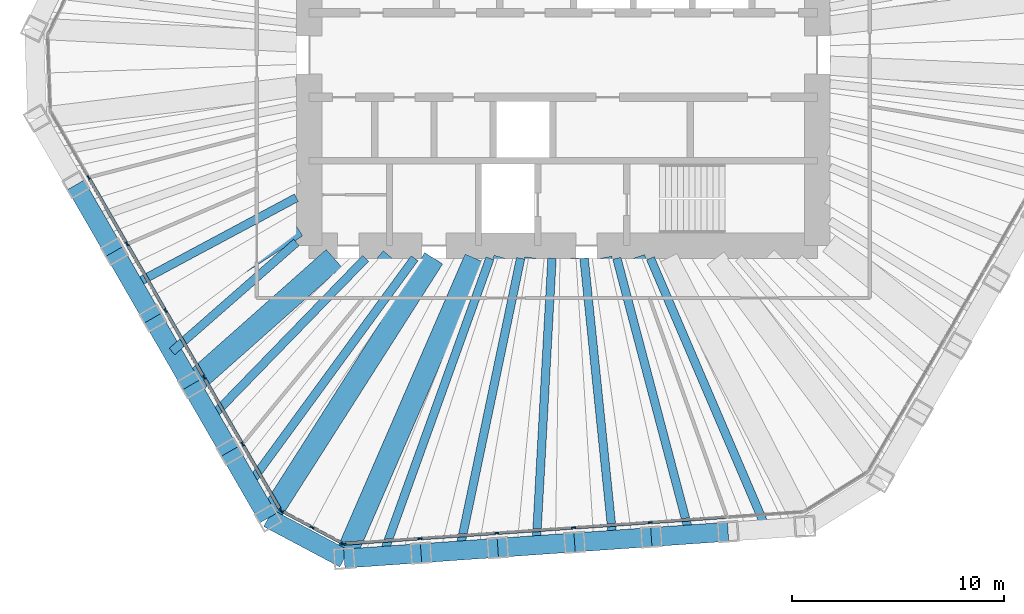
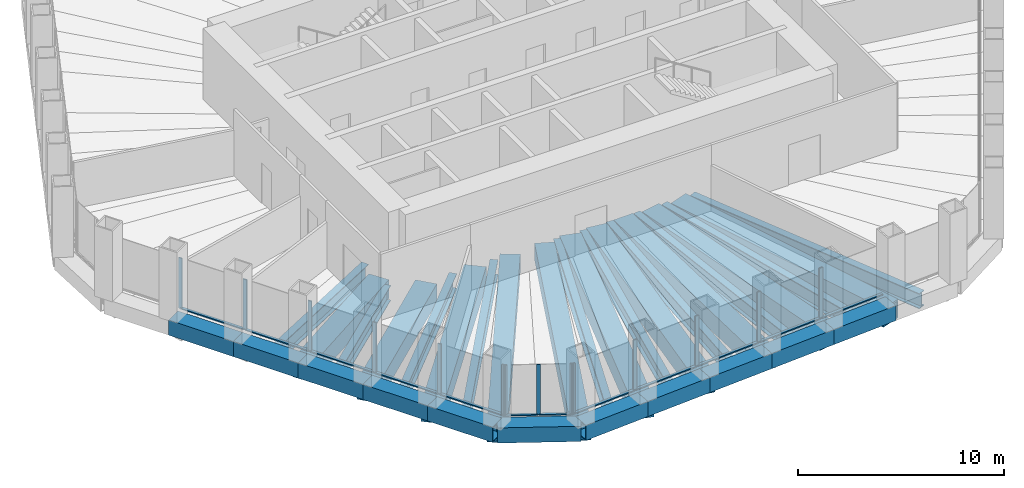
# One storey, part 2 of 12: 31 beams, 26 members, 3 elements without a shape of their own.
"""IFC4 building model written with IfcOpenShell, lengths in metres."""

import ifcopenshell
import ifcopenshell.guid

model = None  # the IFC model being written
_history = None  # IfcOwnerHistory: only IFC2X3 demands one
_inside = {}  # id of a spatial element -> (the spatial element, [elements in it])
_under = {}  # id of a project, library or spatial element -> (it, [spatial elements below it])
_declared = {}  # id of a project -> (the project, [libraries it declares])
_typed = {}  # id of a type object -> (the type object, [elements of that type])
_made_of = {}  # id of a material, layer set ... -> (it, [elements and type objects made of it])


def new_model(schema):
    """Start an empty IFC model of exactly this schema.

    Asked for "IFC4X3", IfcOpenShell would pick the latest addendum, in which some entities
    have other attributes; the version numbers below select the first issue.
    IFC2X3 requires an IfcOwnerHistory on every rooted entity: one is made here for all.
    """
    global model, _history
    if schema == "IFC4X3":
        model = ifcopenshell.file(schema_version=(4, 3, 0, 0))
    else:
        model = ifcopenshell.file(schema=schema)
    _inside.clear()
    _under.clear()
    _declared.clear()
    _typed.clear()
    _made_of.clear()
    _history = None
    if model.schema == "IFC2X3":
        org = make("IfcOrganization", Name="unknown")
        user = make(
            "IfcPersonAndOrganization",
            ThePerson=make("IfcPerson", FamilyName="unknown"),
            TheOrganization=org,
        )
        app = make(
            "IfcApplication",
            ApplicationDeveloper=org,
            Version="unknown",
            ApplicationFullName="unknown",
            ApplicationIdentifier="unknown",
        )
        _history = make(
            "IfcOwnerHistory",
            OwningUser=user,
            OwningApplication=app,
            ChangeAction="ADDED",
            CreationDate=0,
        )
    return model


def make(cls, **values):
    """One entity of the class cls with the attributes given. An attribute that is None is left unset."""
    return model.create_entity(
        cls, **{name: value for name, value in values.items() if value is not None}
    )


def rooted(cls, **values):
    """An entity with a GlobalId (a new one), such as an element, a storey or a relation."""
    return make(cls, GlobalId=ifcopenshell.guid.new(), OwnerHistory=_history, **values)


def si_unit(unit_type, name, prefix=None):
    """IfcSIUnit, for example si_unit("LENGTHUNIT", "METRE", prefix="MILLI")."""
    return make("IfcSIUnit", UnitType=unit_type, Prefix=prefix, Name=name)


def assignment(units):
    """IfcUnitAssignment: the units of a project."""
    return None if units is None else make("IfcUnitAssignment", Units=units)


def point(xyz):
    """IfcCartesianPoint."""
    return None if xyz is None else make("IfcCartesianPoint", Coordinates=xyz)


def direction(xyz):
    """IfcDirection."""
    return None if xyz is None else make("IfcDirection", DirectionRatios=xyz)


def frame(location, z_axis=None, x_axis=None):
    """IfcAxis2Placement3D, a coordinate frame: its origin and axes. An axis left out is left unset."""
    return make(
        "IfcAxis2Placement3D",
        Location=point(location),
        Axis=direction(z_axis),
        RefDirection=direction(x_axis),
    )


def frame_2d(location, x_axis=None):
    """IfcAxis2Placement2D, a coordinate frame in the plane: its origin and x axis."""
    return make(
        "IfcAxis2Placement2D", Location=point(location), RefDirection=direction(x_axis)
    )


def origin():
    """The frame at (0, 0, 0) with its axes left unset."""
    return frame((0.0, 0.0, 0.0))


def origin_2d():
    """The frame at (0, 0) in the plane with its x axis left unset."""
    return frame_2d((0.0, 0.0))


def place(relative_to, where):
    """IfcLocalPlacement: puts the frame where relative to a parent placement (None: the world)."""
    return make(
        "IfcLocalPlacement", PlacementRelTo=relative_to, RelativePlacement=where
    )


def context(
    kind, dimensions, precision=None, world=None, true_north=None, identifier=None
):
    """IfcGeometricRepresentationContext, for example the 3D "Model" context."""
    return make(
        "IfcGeometricRepresentationContext",
        ContextIdentifier=identifier,
        ContextType=kind,
        CoordinateSpaceDimension=dimensions,
        Precision=precision,
        WorldCoordinateSystem=world,
        TrueNorth=true_north,
    )


def subcontext(parent, identifier, kind, view, scale=None):
    """IfcGeometricRepresentationSubContext, for example "Body" below "Model"."""
    return make(
        "IfcGeometricRepresentationSubContext",
        ContextIdentifier=identifier,
        ContextType=kind,
        ParentContext=parent,
        TargetScale=scale,
        TargetView=view,
    )


def project(units=None, contexts=None):
    """IfcProject with its units and contexts."""
    return rooted(
        "IfcProject",
        Name="project",
        RepresentationContexts=contexts,
        UnitsInContext=assignment(units),
    )


def spatial(cls, under=None, at=None, **own):
    """A site, building, storey or space (cls), placed at a placement, below another one or the project."""
    s = rooted(cls, ObjectPlacement=at, **own)
    if under is not None:
        _under.setdefault(under.id(), (under, []))[1].append(s)
    return s


def profile(cls, at=None, kind="AREA", **sizes):
    """A parametric profile (cls). Its sizes go by their IFC names, for example OverallWidth=200.0."""
    return make(cls, ProfileType=kind, Position=at, **sizes)


def rectangle(**sizes):
    """IfcRectangleProfileDef."""
    return profile("IfcRectangleProfileDef", **sizes)


def hollow_rectangle(**sizes):
    """IfcRectangleHollowProfileDef."""
    return profile("IfcRectangleHollowProfileDef", **sizes)


def i_section(**sizes):
    """IfcIShapeProfileDef."""
    return profile("IfcIShapeProfileDef", **sizes)


def extrude(swept, where, along, depth):
    """IfcExtrudedAreaSolid: the profile swept, set in the frame where, extruded along a direction by depth."""
    return make(
        "IfcExtrudedAreaSolid",
        SweptArea=swept,
        Position=where,
        ExtrudedDirection=direction(along),
        Depth=depth,
    )


def shape(context_of_items, identifier, shape_type, items):
    """IfcShapeRepresentation: the items that make up one representation, for example the "Body"."""
    return make(
        "IfcShapeRepresentation",
        ContextOfItems=context_of_items,
        RepresentationIdentifier=identifier,
        RepresentationType=shape_type,
        Items=items,
    )


def material(Name=None, Category=None):
    """IfcMaterial."""
    return make("IfcMaterial", Name=Name, Category=Category)


def material_profile(
    of_material, cross_section, Name=None, Category=None, Priority=None
):
    """IfcMaterialProfile: a cross section and its material."""
    return make(
        "IfcMaterialProfile",
        Name=Name,
        Material=of_material,
        Profile=cross_section,
        Priority=Priority,
        Category=Category,
    )


def profile_set(profiles, Name=None, composite=None):
    """IfcMaterialProfileSet."""
    return make(
        "IfcMaterialProfileSet",
        Name=Name,
        MaterialProfiles=profiles,
        CompositeProfile=composite,
    )


def made_of(thing, what):
    """Note that an element or type object is made of a material, layer set ...; save() writes the relation."""
    if what is not None:
        _made_of.setdefault(what.id(), (what, []))[1].append(thing)
    return thing


def type_object(cls, material=None, **own):
    """A type object (cls), such as IfcWallType, which elements share."""
    return made_of(rooted(cls, **own), material)


def element(
    cls,
    number,
    at=None,
    inside=None,
    cuts=None,
    type_object=None,
    material=None,
    context=None,
    identifier="Body",
    shape_type=None,
    held_by="IfcProductDefinitionShape",
    body=None,
    shapes=None,
    **own,
):
    """One element of the class cls, such as IfcWall. Its Tag is "e" and its number.

    at: its placement. inside: the storey or other place that contains it. cuts: it is an
    opening in that element (IfcRelVoidsElement). A single representation is given by context,
    identifier, shape_type and body (its items); several are given by shapes. held_by: the class
    of the entity that holds the representations. save() writes the other relations.
    """
    e = rooted(cls, Tag="e%d" % number, ObjectPlacement=at, **own)
    if body is not None:
        shapes = [shape(context, identifier, shape_type, body)]
    if shapes is not None:
        e.Representation = make(held_by, Representations=shapes)
    if inside is not None:
        _inside.setdefault(inside.id(), (inside, []))[1].append(e)
    if cuts is not None:
        rooted(
            "IfcRelVoidsElement", RelatingBuildingElement=cuts, RelatedOpeningElement=e
        )
    if type_object is not None:
        _typed.setdefault(type_object.id(), (type_object, []))[1].append(e)
    return made_of(e, material)


def aggregate(whole, parts):
    """IfcRelAggregates: a whole, such as a stair, and the parts it consists of."""
    return rooted("IfcRelAggregates", RelatingObject=whole, RelatedObjects=parts)


def save(model, path):
    """Write the relations noted so far, then the file.

    IfcRelAggregates (storeys below a building ...), IfcRelContainedInSpatialStructure (elements
    in a storey), IfcRelDefinesByType, IfcRelAssociatesMaterial and IfcRelDeclares: one each for
    every whole, place, type object, material and project.
    """
    for whole, parts in _under.values():
        aggregate(whole, parts)
    for where, things in _inside.values():
        rooted(
            "IfcRelContainedInSpatialStructure",
            RelatedElements=things,
            RelatingStructure=where,
        )
    for kind, things in _typed.values():
        rooted("IfcRelDefinesByType", RelatedObjects=things, RelatingType=kind)
    for what, things in _made_of.values():
        rooted("IfcRelAssociatesMaterial", RelatedObjects=things, RelatingMaterial=what)
    for by, libraries in _declared.values():
        rooted("IfcRelDeclares", RelatingContext=by, RelatedDefinitions=libraries)
    model.write(path)


model = new_model("IFC4")

# Units and contexts
model_context = context("Model", 3, precision=1e-05, world=origin(), true_north=direction((0.0, 1.0)))
body_context = subcontext(model_context, "Body", "Model", "MODEL_VIEW")
ifc_project = project(units=[si_unit("LENGTHUNIT", "METRE"), si_unit("AREAUNIT", "SQUARE_METRE"), si_unit("VOLUMEUNIT", "CUBIC_METRE"), si_unit("PLANEANGLEUNIT", "RADIAN"), si_unit("MASSUNIT", "GRAM", prefix="KILO")], contexts=[model_context])

# Site, building, storey
site_placement = place(None, origin())
site = spatial("IfcSite", under=ifc_project, at=site_placement, CompositionType="ELEMENT")
building_placement = place(site_placement, origin())
building = spatial("IfcBuilding", under=site, at=building_placement, Name="Qingtian Harvest Tower", CompositionType="ELEMENT")
storey_placement = place(building_placement, frame((0.0, 0.0, 251.800048828125)))
storey = spatial("IfcBuildingStorey", under=building, at=storey_placement, Name="L55", CompositionType="ELEMENT", Elevation=251.800048828125)

# Beams
ifc_material_1 = material(Name="Steel SN490B", Category="steel")
ifc_material_profile_1 = material_profile(ifc_material_1, i_section(OverallWidth=0.39990234375, OverallDepth=0.89990234375, WebThickness=0.01904296875, FlangeThickness=0.035888671875, at=origin_2d()), Name="H900x400x19x36")
ifc_profile_set_1 = profile_set([ifc_material_profile_1], Name="Steel SN490B")
beam_type_1 = type_object("IfcBeamType", Name="Floor joist J4 H900x400x19x36", PredefinedType="JOIST", material=ifc_profile_set_1)
beam_1_placement = place(storey_placement, frame((9.597412109375, -22.385009765625, -0.6201171875), z_axis=(-0.394052741766, 0.919087828614, 0.0), x_axis=(-0.919087828614, -0.394052741766, 0.0)))
element("IfcBeam", 1, at=beam_1_placement, inside=storey, type_object=beam_type_1, Name="Floor joist J4 S0", PredefinedType="JOIST", context=body_context, shape_type="SweptSolid", body=[
    extrude(i_section(OverallWidth=0.39990234375, OverallDepth=0.89990234375, WebThickness=0.01904296875, FlangeThickness=0.035888671875, at=origin_2d()), origin(), (0.0, 0.0, 1.0), 13.910400390625),
])
beam_2_placement = place(storey_placement, frame((5.97265625, -22.638427734375, -0.6201171875), z_axis=(-0.255103716232, 0.9669136952, 0.0), x_axis=(-0.9669136952, -0.255103716232, 0.0)))
element("IfcBeam", 2, at=beam_2_placement, inside=storey, type_object=beam_type_1, Name="Floor joist J4 S1", PredefinedType="JOIST", context=body_context, shape_type="SweptSolid", body=[
    extrude(i_section(OverallWidth=0.39990234375, OverallDepth=0.89990234375, WebThickness=0.01904296875, FlangeThickness=0.035888671875, at=origin_2d()), origin(), (0.0, 0.0, 1.0), 13.484375),
])
beam_3_placement = place(storey_placement, frame((2.347900390625, -22.89208984375, -0.6201171875), z_axis=(-0.102028865499, 0.994781438611, 0.0), x_axis=(-0.994781438611, -0.102028865499, 0.0)))
element("IfcBeam", 3, at=beam_3_placement, inside=storey, type_object=beam_type_1, Name="Floor joist J4 S2", PredefinedType="JOIST", context=body_context, shape_type="SweptSolid", body=[
    extrude(i_section(OverallWidth=0.39990234375, OverallDepth=0.89990234375, WebThickness=0.01904296875, FlangeThickness=0.035888671875, at=origin_2d()), origin(), (0.0, 0.0, 1.0), 13.36181640625),
])
beam_4_placement = place(storey_placement, frame((-1.276611328125, -23.1455078125, -0.6201171875), z_axis=(0.055069329716, 0.998482533109, 0.0), x_axis=(-0.998482533109, 0.055069329716, 0.0)))
element("IfcBeam", 4, at=beam_4_placement, inside=storey, type_object=beam_type_1, Name="Floor joist J4 S3", PredefinedType="JOIST", context=body_context, shape_type="SweptSolid", body=[
    extrude(i_section(OverallWidth=0.39990234375, OverallDepth=0.89990234375, WebThickness=0.01904296875, FlangeThickness=0.035888671875, at=origin_2d()), origin(), (0.0, 0.0, 1.0), 13.56591796875),
])
beam_5_placement = place(storey_placement, frame((-4.9013671875, -23.39892578125, -0.6201171875), z_axis=(0.205016322093, 0.978758554331, 0.0), x_axis=(-0.978758554331, 0.205016322093, 0.0)))
element("IfcBeam", 5, at=beam_5_placement, inside=storey, type_object=beam_type_1, Name="Floor joist J4 S4", PredefinedType="JOIST", context=body_context, shape_type="SweptSolid", body=[
    extrude(i_section(OverallWidth=0.39990234375, OverallDepth=0.89990234375, WebThickness=0.01904296875, FlangeThickness=0.035888671875, at=origin_2d()), origin(), (0.0, 0.0, 1.0), 14.098388671875),
])
beam_6_placement = place(storey_placement, frame((-8.526123046875, -23.65234375, -0.6201171875), z_axis=(0.339126305921, 0.940740850943, 0.0), x_axis=(-0.940740850943, 0.339126305921, 0.0)))
element("IfcBeam", 6, at=beam_6_placement, inside=storey, type_object=beam_type_1, Name="Floor joist J4 S5", PredefinedType="JOIST", context=body_context, shape_type="SweptSolid", body=[
    extrude(i_section(OverallWidth=0.39990234375, OverallDepth=0.89990234375, WebThickness=0.01904296875, FlangeThickness=0.035888671875, at=origin_2d()), origin(), (0.0, 0.0, 1.0), 14.9375),
])
beam_7_placement = place(storey_placement, frame((-14.841064453125, -20.294677734375, -0.6201171875), z_axis=(0.590288677526, 0.807192218238, 0.0), x_axis=(-0.807192218238, 0.590288677526, 0.0)))
element("IfcBeam", 7, at=beam_7_placement, inside=storey, type_object=beam_type_1, Name="Floor joist J4 SW0", PredefinedType="JOIST", context=body_context, shape_type="SweptSolid", body=[
    extrude(i_section(OverallWidth=0.39990234375, OverallDepth=0.89990234375, WebThickness=0.01904296875, FlangeThickness=0.035888671875, at=origin_2d()), origin(), (0.0, 0.0, 1.0), 13.2490234375),
])
beam_8_placement = place(storey_placement, frame((-16.65771484375, -17.14794921875, -0.6201171875), z_axis=(0.696777499009, 0.717287332158, 0.0), x_axis=(-0.717287332158, 0.696777499009, 0.0)))
element("IfcBeam", 8, at=beam_8_placement, inside=storey, type_object=beam_type_1, Name="Floor joist J4 SW1", PredefinedType="JOIST", context=body_context, shape_type="SweptSolid", body=[
    extrude(i_section(OverallWidth=0.39990234375, OverallDepth=0.89990234375, WebThickness=0.01904296875, FlangeThickness=0.035888671875, at=origin_2d()), origin(), (0.0, 0.0, 1.0), 10.522705078125),
])
beam_9_placement = place(storey_placement, frame((-18.474609375, -14.001220703125, -0.6201171875), z_axis=(0.751883296969, 0.659296221542, 0.0), x_axis=(-0.659296221542, 0.751883296969, 0.0)))
element("IfcBeam", 9, at=beam_9_placement, inside=storey, type_object=beam_type_1, Name="Floor joist J4 SW2", PredefinedType="JOIST", context=body_context, shape_type="SweptSolid", body=[
    extrude(i_section(OverallWidth=0.39990234375, OverallDepth=0.89990234375, WebThickness=0.01904296875, FlangeThickness=0.035888671875, at=origin_2d()), origin(), (0.0, 0.0, 1.0), 7.81298828125),
])
beam_10_placement = place(storey_placement, frame((-20.291259765625, -10.8544921875, -0.6201171875), z_axis=(0.881766503154, 0.471686160402, 0.0), x_axis=(-0.471686160402, 0.881766503154, 0.0)))
element("IfcBeam", 10, at=beam_10_placement, inside=storey, type_object=beam_type_1, Name="Floor joist J4 SW3", PredefinedType="JOIST", context=body_context, shape_type="SweptSolid", body=[
    extrude(i_section(OverallWidth=0.39990234375, OverallDepth=0.89990234375, WebThickness=0.01904296875, FlangeThickness=0.035888671875, at=origin_2d()), origin(), (0.0, 0.0, 1.0), 8.722412109375),
])

# Curtain wall, members
ifc_material_2 = material(Name="Bronze-anodised aluminium curtain wall", Category="aluminium")
curtain_wall_type = type_object("IfcCurtainWallType", Name="Curtain wall CW4 office", PredefinedType="USERDEFINED", material=ifc_material_2)
curtain_wall_1_placement = place(storey_placement, origin())
curtain_wall_1 = element("IfcCurtainWall", 11, at=curtain_wall_1_placement, inside=storey, type_object=curtain_wall_type, Name="Curtain wall CW4 L55 S0-5", ObjectType="RECESSED CURTAIN WALL", PredefinedType="USERDEFINED")
ifc_material_3 = material(Name="Bronze-anodised aluminium mullion", Category="aluminium")
ifc_material_profile_2 = material_profile(ifc_material_3, rectangle(XDim=0.06494140625, YDim=0.199951171875, at=origin_2d()), Name="AL 65x200")
ifc_profile_set_2 = profile_set([ifc_material_profile_2], Name="Bronze-anodised aluminium mullion")
member_type_1 = type_object("IfcMemberType", Name="Mullion CWM 65x200", PredefinedType="MULLION", material=ifc_profile_set_2)
member_1_placement = place(storey_placement, frame((4.111572265625, -22.06689453125, 0.0), z_axis=(0.0, 0.0, 1.0), x_axis=(0.069756473744, -0.99756405026, 0.0)))
member_1 = element("IfcMember", 12, at=member_1_placement, type_object=member_type_1, Name="CW4 mullion 3", PredefinedType="MULLION", context=body_context, shape_type="SweptSolid", body=[
    extrude(rectangle(XDim=0.06494140625, YDim=0.199951171875, at=origin_2d()), origin(), (0.0, 0.0, 1.0), 3.0),
])
member_2_placement = place(storey_placement, frame((0.48681640625, -22.3203125, 0.0), z_axis=(0.0, 0.0, 1.0), x_axis=(0.069756473744, -0.99756405026, 0.0)))
member_2 = element("IfcMember", 13, at=member_2_placement, type_object=member_type_1, Name="CW4 mullion 4", PredefinedType="MULLION", context=body_context, shape_type="SweptSolid", body=[
    extrude(rectangle(XDim=0.06494140625, YDim=0.199951171875, at=origin_2d()), origin(), (0.0, 0.0, 1.0), 3.0),
])
member_3_placement = place(storey_placement, frame((-3.137939453125, -22.573974609375, 0.0), z_axis=(0.0, 0.0, 1.0), x_axis=(0.069756473744, -0.99756405026, 0.0)))
member_3 = element("IfcMember", 14, at=member_3_placement, type_object=member_type_1, Name="CW4 mullion 5", PredefinedType="MULLION", context=body_context, shape_type="SweptSolid", body=[
    extrude(rectangle(XDim=0.06494140625, YDim=0.199951171875, at=origin_2d()), origin(), (0.0, 0.0, 1.0), 3.0),
])
member_4_placement = place(storey_placement, frame((-6.762451171875, -22.827392578125, 0.0), z_axis=(0.0, 0.0, 1.0), x_axis=(0.069756473744, -0.99756405026, 0.0)))
member_4 = element("IfcMember", 15, at=member_4_placement, type_object=member_type_1, Name="CW4 mullion 6", PredefinedType="MULLION", context=body_context, shape_type="SweptSolid", body=[
    extrude(rectangle(XDim=0.06494140625, YDim=0.199951171875, at=origin_2d()), origin(), (0.0, 0.0, 1.0), 3.0),
])
member_5_placement = place(storey_placement, frame((-10.354736328125, -23.07861328125, 0.0), z_axis=(0.0, 0.0, 1.0), x_axis=(0.069756473744, -0.99756405026, 0.0)))
member_5 = element("IfcMember", 16, at=member_5_placement, type_object=member_type_1, Name="CW4 mullion 7", PredefinedType="MULLION", context=body_context, shape_type="SweptSolid", body=[
    extrude(rectangle(XDim=0.06494140625, YDim=0.199951171875, at=origin_2d()), origin(), (0.0, 0.0, 1.0), 3.0),
])

curtain_wall_2_placement = place(storey_placement, origin())
curtain_wall_2 = element("IfcCurtainWall", 17, at=curtain_wall_2_placement, inside=storey, type_object=curtain_wall_type, Name="Curtain wall CW4 L55 SC", ObjectType="RECESSED CURTAIN WALL", PredefinedType="USERDEFINED")
member_6_placement = place(storey_placement, frame((-10.416015625, -23.0654296875, 0.0), z_axis=(0.0, 0.0, 1.0), x_axis=(-0.469471562786, -0.882947592859, 0.0)))
member_6 = element("IfcMember", 18, at=member_6_placement, type_object=member_type_1, Name="CW4 mullion 1", PredefinedType="MULLION", context=body_context, shape_type="SweptSolid", body=[
    extrude(rectangle(XDim=0.06494140625, YDim=0.199951171875, at=origin_2d()), origin(), (0.0, 0.0, 1.0), 3.0),
])
member_7_placement = place(storey_placement, frame((-11.85693359375, -22.29931640625, 0.0), z_axis=(0.0, 0.0, 1.0), x_axis=(-0.469471562786, -0.882947592859, 0.0)))
member_7 = element("IfcMember", 19, at=member_7_placement, type_object=member_type_1, Name="CW4 mullion 2", PredefinedType="MULLION", context=body_context, shape_type="SweptSolid", body=[
    extrude(rectangle(XDim=0.06494140625, YDim=0.199951171875, at=origin_2d()), origin(), (0.0, 0.0, 1.0), 3.0),
])
member_8_placement = place(storey_placement, frame((-13.297607421875, -21.533203125, 0.0), z_axis=(0.0, 0.0, 1.0), x_axis=(-0.469471562786, -0.882947592859, 0.0)))
member_8 = element("IfcMember", 20, at=member_8_placement, type_object=member_type_1, Name="CW4 mullion 3", PredefinedType="MULLION", context=body_context, shape_type="SweptSolid", body=[
    extrude(rectangle(XDim=0.06494140625, YDim=0.199951171875, at=origin_2d()), origin(), (0.0, 0.0, 1.0), 3.0),
])

curtain_wall_3_placement = place(storey_placement, origin())
curtain_wall_3 = element("IfcCurtainWall", 21, at=curtain_wall_3_placement, inside=storey, type_object=curtain_wall_type, Name="Curtain wall CW4 L55 SW0-5", ObjectType="RECESSED CURTAIN WALL", PredefinedType="USERDEFINED")
member_9_placement = place(storey_placement, frame((-13.342529296875, -21.489990234375, 0.0), z_axis=(0.0, 0.0, 1.0), x_axis=(-0.866025403784, -0.5, 0.0)))
member_9 = element("IfcMember", 22, at=member_9_placement, type_object=member_type_1, Name="CW4 mullion 1", PredefinedType="MULLION", context=body_context, shape_type="SweptSolid", body=[
    extrude(rectangle(XDim=0.06494140625, YDim=0.199951171875, at=origin_2d()), origin(), (0.0, 0.0, 1.0), 3.0),
])
member_10_placement = place(storey_placement, frame((-15.14306640625, -18.371337890625, 0.0), z_axis=(0.0, 0.0, 1.0), x_axis=(-0.866025403784, -0.5, 0.0)))
member_10 = element("IfcMember", 23, at=member_10_placement, type_object=member_type_1, Name="CW4 mullion 2", PredefinedType="MULLION", context=body_context, shape_type="SweptSolid", body=[
    extrude(rectangle(XDim=0.06494140625, YDim=0.199951171875, at=origin_2d()), origin(), (0.0, 0.0, 1.0), 3.0),
])
member_11_placement = place(storey_placement, frame((-16.9599609375, -15.224609375, 0.0), z_axis=(0.0, 0.0, 1.0), x_axis=(-0.866025403784, -0.5, 0.0)))
member_11 = element("IfcMember", 24, at=member_11_placement, type_object=member_type_1, Name="CW4 mullion 3", PredefinedType="MULLION", context=body_context, shape_type="SweptSolid", body=[
    extrude(rectangle(XDim=0.06494140625, YDim=0.199951171875, at=origin_2d()), origin(), (0.0, 0.0, 1.0), 3.0),
])
member_12_placement = place(storey_placement, frame((-18.776611328125, -12.077880859375, 0.0), z_axis=(0.0, 0.0, 1.0), x_axis=(-0.866025403784, -0.5, 0.0)))
member_12 = element("IfcMember", 25, at=member_12_placement, type_object=member_type_1, Name="CW4 mullion 4", PredefinedType="MULLION", context=body_context, shape_type="SweptSolid", body=[
    extrude(rectangle(XDim=0.06494140625, YDim=0.199951171875, at=origin_2d()), origin(), (0.0, 0.0, 1.0), 3.0),
])
member_13_placement = place(storey_placement, frame((-20.593505859375, -8.93115234375, 0.0), z_axis=(0.0, 0.0, 1.0), x_axis=(-0.866025403784, -0.5, 0.0)))
member_13 = element("IfcMember", 26, at=member_13_placement, type_object=member_type_1, Name="CW4 mullion 5", PredefinedType="MULLION", context=body_context, shape_type="SweptSolid", body=[
    extrude(rectangle(XDim=0.06494140625, YDim=0.199951171875, at=origin_2d()), origin(), (0.0, 0.0, 1.0), 3.0),
])
member_14_placement = place(storey_placement, frame((-22.41015625, -5.784423828125, 0.0), z_axis=(0.0, 0.0, 1.0), x_axis=(-0.866025403784, -0.5, 0.0)))
member_14 = element("IfcMember", 27, at=member_14_placement, type_object=member_type_1, Name="CW4 mullion 6", PredefinedType="MULLION", context=body_context, shape_type="SweptSolid", body=[
    extrude(rectangle(XDim=0.06494140625, YDim=0.199951171875, at=origin_2d()), origin(), (0.0, 0.0, 1.0), 3.0),
])

# Beams
ifc_material_4 = material(Name="Steel SM570MC", Category="steel")
ifc_material_profile_3 = material_profile(ifc_material_4, hollow_rectangle(XDim=1.0, YDim=1.0, WallThickness=0.080078125, at=origin_2d()), Name="BOX1000x1000x80")
ifc_profile_set_3 = profile_set([ifc_material_profile_3], Name="Steel SM570MC")
beam_type_2 = type_object("IfcBeamType", Name="Transfer corner beam FB11 BOX1000x1000x80", PredefinedType="BEAM", material=ifc_profile_set_3)
beam_11_placement = place(storey_placement, frame((-10.33837890625, -23.779052734375, -0.670166015625), z_axis=(0.398714563353, 0.917075077063, 0.0), x_axis=(-0.917075077063, 0.398714563353, 0.0)))
element("IfcBeam", 28, at=beam_11_placement, inside=storey, type_object=beam_type_2, Name="Floor beam FB11 S6", PredefinedType="BEAM", context=body_context, shape_type="SweptSolid", body=[
    extrude(hollow_rectangle(XDim=1.0, YDim=1.0, WallThickness=0.080078125, at=origin_2d()), origin(), (0.0, 0.0, 1.0), 15.461181640625),
])
beam_12_placement = place(storey_placement, frame((-13.9326171875, -21.8681640625, -0.670166015625), z_axis=(0.537326103898, 0.8433745657, 0.0), x_axis=(-0.8433745657, 0.537326103898, 0.0)))
element("IfcBeam", 29, at=beam_12_placement, inside=storey, type_object=beam_type_2, Name="Floor beam FB11 SW0", PredefinedType="BEAM", context=body_context, shape_type="SweptSolid", body=[
    extrude(hollow_rectangle(XDim=1.0, YDim=1.0, WallThickness=0.080078125, at=origin_2d()), origin(), (0.0, 0.0, 1.0), 14.54638671875),
])
ifc_material_5 = material(Name="Steel SM570MC", Category="steel")
ifc_material_profile_4 = material_profile(ifc_material_5, hollow_rectangle(XDim=1.10009765625, YDim=1.10009765625, WallThickness=0.10009765625, at=origin_2d()), Name="BOX1100x1100x100")
ifc_profile_set_4 = profile_set([ifc_material_profile_4], Name="Steel SM570MC")
beam_type_3 = type_object("IfcBeamType", Name="Transfer floor beam FB9 BOX1100x1100x100", PredefinedType="BEAM", material=ifc_profile_set_4)
beam_13_placement = place(storey_placement, frame((7.78515625, -22.51171875, -0.719970703125), z_axis=(-0.326844175409, 0.945078242793, 0.0), x_axis=(-0.945078242793, -0.326844175409, 0.0)))
element("IfcBeam", 30, at=beam_13_placement, inside=storey, type_object=beam_type_3, Name="Floor beam FB9 S1", PredefinedType="BEAM", context=body_context, shape_type="SweptSolid", body=[
    extrude(hollow_rectangle(XDim=1.10009765625, YDim=1.10009765625, WallThickness=0.10009765625, at=origin_2d()), origin(), (0.0, 0.0, 1.0), 13.661865234375),
])
beam_14_placement = place(storey_placement, frame((4.160400390625, -22.76513671875, -0.719970703125), z_axis=(-0.179779537209, 0.983706926885, 0.0), x_axis=(-0.983706926885, -0.179779537209, 0.0)))
element("IfcBeam", 31, at=beam_14_placement, inside=storey, type_object=beam_type_3, Name="Floor beam FB9 S2", PredefinedType="BEAM", context=body_context, shape_type="SweptSolid", body=[
    extrude(hollow_rectangle(XDim=1.10009765625, YDim=1.10009765625, WallThickness=0.10009765625, at=origin_2d()), origin(), (0.0, 0.0, 1.0), 13.383056640625),
])
beam_15_placement = place(storey_placement, frame((0.53564453125, -23.018798828125, -0.719970703125), z_axis=(-0.023263902078, 0.999729358807, 0.0), x_axis=(-0.999729358807, -0.023263902078, 0.0)))
element("IfcBeam", 32, at=beam_15_placement, inside=storey, type_object=beam_type_3, Name="Floor beam FB9 S3", PredefinedType="BEAM", context=body_context, shape_type="SweptSolid", body=[
    extrude(hollow_rectangle(XDim=1.10009765625, YDim=1.10009765625, WallThickness=0.10009765625, at=origin_2d()), origin(), (0.0, 0.0, 1.0), 13.42236328125),
])
beam_16_placement = place(storey_placement, frame((-3.089111328125, -23.272216796875, -0.719970703125), z_axis=(0.131593229442, 0.991303799027, 0.0), x_axis=(-0.991303799027, 0.131593229442, 0.0)))
element("IfcBeam", 33, at=beam_16_placement, inside=storey, type_object=beam_type_3, Name="Floor beam FB9 S4", PredefinedType="BEAM", context=body_context, shape_type="SweptSolid", body=[
    extrude(hollow_rectangle(XDim=1.10009765625, YDim=1.10009765625, WallThickness=0.10009765625, at=origin_2d()), origin(), (0.0, 0.0, 1.0), 13.7919921875),
])
beam_17_placement = place(storey_placement, frame((-6.713623046875, -23.525634765625, -0.719970703125), z_axis=(0.274411610503, 0.961612327303, 0.0), x_axis=(-0.961612327303, 0.274411610503, 0.0)))
element("IfcBeam", 34, at=beam_17_placement, inside=storey, type_object=beam_type_3, Name="Floor beam FB9 S5", PredefinedType="BEAM", context=body_context, shape_type="SweptSolid", body=[
    extrude(hollow_rectangle(XDim=1.10009765625, YDim=1.10009765625, WallThickness=0.10009765625, at=origin_2d()), origin(), (0.0, 0.0, 1.0), 14.4814453125),
])
beam_18_placement = place(storey_placement, frame((-15.749267578125, -18.72119140625, -0.719970703125), z_axis=(0.643763532906, 0.765224485821, 0.0), x_axis=(-0.765224485821, 0.643763532906, 0.0)))
element("IfcBeam", 35, at=beam_18_placement, inside=storey, type_object=beam_type_3, Name="Floor beam FB9 SW1", PredefinedType="BEAM", context=body_context, shape_type="SweptSolid", body=[
    extrude(hollow_rectangle(XDim=1.10009765625, YDim=1.10009765625, WallThickness=0.10009765625, at=origin_2d()), origin(), (0.0, 0.0, 1.0), 11.91943359375),
])
beam_19_placement = place(storey_placement, frame((-17.566162109375, -15.574462890625, -0.719970703125), z_axis=(0.748259768664, 0.663405847577, 0.0), x_axis=(-0.663405847577, 0.748259768664, 0.0)))
element("IfcBeam", 36, at=beam_19_placement, inside=storey, type_object=beam_type_3, Name="Floor beam FB9 SW2", PredefinedType="BEAM", context=body_context, shape_type="SweptSolid", body=[
    extrude(hollow_rectangle(XDim=1.10009765625, YDim=1.10009765625, WallThickness=0.10009765625, at=origin_2d()), origin(), (0.0, 0.0, 1.0), 9.005615234375),
])
beam_20_placement = place(storey_placement, frame((-19.3828125, -12.427734375, -0.719970703125), z_axis=(0.841823714388, 0.539752567288, 0.0), x_axis=(-0.539752567288, 0.841823714388, 0.0)))
element("IfcBeam", 37, at=beam_20_placement, inside=storey, type_object=beam_type_3, Name="Floor beam FB9 SW3", PredefinedType="BEAM", context=body_context, shape_type="SweptSolid", body=[
    extrude(hollow_rectangle(XDim=1.10009765625, YDim=1.10009765625, WallThickness=0.10009765625, at=origin_2d()), origin(), (0.0, 0.0, 1.0), 8.05712890625),
])
ifc_material_6 = material(Name="Steel SM570MC", Category="steel")
ifc_material_profile_5 = material_profile(ifc_material_6, hollow_rectangle(XDim=0.89990234375, YDim=0.89990234375, WallThickness=0.050048828125, at=origin_2d()), Name="BOX900x900x50")
ifc_profile_set_5 = profile_set([ifc_material_profile_5], Name="Steel SM570MC")
beam_type_4 = type_object("IfcBeamType", Name="Transition spandrel SB6 BOX900x900x50", PredefinedType="SPANDREL", material=ifc_profile_set_5)
for number, where, z_axis, x_axis, name in (
    (38, (7.78515625, -22.51171875, -0.449951171875), (-0.997565001055, -0.069742875402, 0.0), (0.069742875402, -0.997565001055, 0.0), "Spandrel SB6 S1"),
    (39, (4.160400390625, -22.76513671875, -0.449951171875), (-0.997560324246, -0.069809737785, 0.0), (0.069809737785, -0.997560324246, 0.0), "Spandrel SB6 S2"),
    (40, (0.53564453125, -23.018798828125, -0.449951171875), (-0.997565001055, -0.069742875402, 0.0), (0.069742875402, -0.997565001055, 0.0), "Spandrel SB6 S3"),
):
    element("IfcBeam", number, at=place(storey_placement, frame(where, z_axis=z_axis, x_axis=x_axis)), inside=storey, type_object=beam_type_4, Name=name, PredefinedType="SPANDREL", context=body_context, shape_type="SweptSolid", body=[
        extrude(hollow_rectangle(XDim=0.89990234375, YDim=0.89990234375, WallThickness=0.050048828125, at=origin_2d()), origin(), (0.0, 0.0, 1.0), 3.633544921875),
    ])
beam_21_placement = place(storey_placement, frame((-3.089111328125, -23.272216796875, -0.449951171875), z_axis=(-0.997564674207, -0.069747550305, 0.0), x_axis=(0.069747550305, -0.997564674207, 0.0)))
element("IfcBeam", 41, at=beam_21_placement, inside=storey, type_object=beam_type_4, Name="Spandrel SB6 S4", PredefinedType="SPANDREL", context=body_context, shape_type="SweptSolid", body=[
    extrude(hollow_rectangle(XDim=0.89990234375, YDim=0.89990234375, WallThickness=0.050048828125, at=origin_2d()), origin(), (0.0, 0.0, 1.0), 3.63330078125),
])
beam_22_placement = place(storey_placement, frame((-6.713623046875, -23.525634765625, -0.449951171875), z_axis=(-0.997565001055, -0.069742875402, 0.0), x_axis=(0.069742875402, -0.997565001055, 0.0)))
element("IfcBeam", 42, at=beam_22_placement, inside=storey, type_object=beam_type_4, Name="Spandrel SB6 S5", PredefinedType="SPANDREL", context=body_context, shape_type="SweptSolid", body=[
    extrude(hollow_rectangle(XDim=0.89990234375, YDim=0.89990234375, WallThickness=0.050048828125, at=origin_2d()), origin(), (0.0, 0.0, 1.0), 3.633544921875),
])
beam_23_placement = place(storey_placement, frame((-10.33837890625, -23.779052734375, -0.449951171875), z_axis=(-0.882968133669, 0.469432929101, 0.0), x_axis=(-0.469432929101, -0.882968133669, 0.0)))
element("IfcBeam", 43, at=beam_23_placement, inside=storey, type_object=beam_type_4, Name="Spandrel SB6 SC", PredefinedType="SPANDREL", context=body_context, shape_type="SweptSolid", body=[
    extrude(hollow_rectangle(XDim=0.89990234375, YDim=0.89990234375, WallThickness=0.050048828125, at=origin_2d()), origin(), (0.0, 0.0, 1.0), 4.070556640625),
])
beam_24_placement = place(storey_placement, frame((-13.9326171875, -21.8681640625, -0.449951171875), z_axis=(-0.499947341849, 0.866055803848, 0.0), x_axis=(-0.866055803848, -0.499947341849, 0.0)))
element("IfcBeam", 44, at=beam_24_placement, inside=storey, type_object=beam_type_4, Name="Spandrel SB6 SW0", PredefinedType="SPANDREL", context=body_context, shape_type="SweptSolid", body=[
    extrude(hollow_rectangle(XDim=0.89990234375, YDim=0.89990234375, WallThickness=0.050048828125, at=origin_2d()), origin(), (0.0, 0.0, 1.0), 3.6337890625),
])
for number, where, z_axis, x_axis, name in (
    (45, (-15.749267578125, -18.72119140625, -0.449951171875), (-0.500026827678, 0.866009914263, 0.0), (-0.866009914263, -0.500026827678, 0.0), "Spandrel SB6 SW1"),
    (46, (-17.566162109375, -15.574462890625, -0.449951171875), (-0.499976434558, 0.866039008871, 0.0), (-0.866039008871, -0.499976434558, 0.0), "Spandrel SB6 SW2"),
    (47, (-19.3828125, -12.427734375, -0.449951171875), (-0.500026827678, 0.866009914263, 0.0), (-0.866009914263, -0.500026827678, 0.0), "Spandrel SB6 SW3"),
    (48, (-21.19970703125, -9.281005859375, -0.449951171875), (-0.499976434558, 0.866039008871, 0.0), (-0.866039008871, -0.499976434558, 0.0), "Spandrel SB6 SW4"),
):
    element("IfcBeam", number, at=place(storey_placement, frame(where, z_axis=z_axis, x_axis=x_axis)), inside=storey, type_object=beam_type_4, Name=name, PredefinedType="SPANDREL", context=body_context, shape_type="SweptSolid", body=[
        extrude(hollow_rectangle(XDim=0.89990234375, YDim=0.89990234375, WallThickness=0.050048828125, at=origin_2d()), origin(), (0.0, 0.0, 1.0), 3.633544921875),
    ])

# Member
ifc_material_7 = material(Name="Bronze-anodised aluminium transom", Category="aluminium")
ifc_material_profile_6 = material_profile(ifc_material_7, rectangle(XDim=0.14990234375, YDim=0.06494140625, at=origin_2d()), Name="AL 65x150")
ifc_profile_set_6 = profile_set([ifc_material_profile_6], Name="Bronze-anodised aluminium transom")
member_type_2 = type_object("IfcMemberType", Name="Transom CWT 65x150", PredefinedType="USERDEFINED", material=ifc_profile_set_6)
member_15_placement = place(storey_placement, frame((7.703857421875, -21.815673828125, 0.032470703125), z_axis=(-0.997562159126, -0.069783512949, 0.0), x_axis=(0.069783512949, -0.997562159126, 0.0)))
member_15 = element("IfcMember", 49, at=member_15_placement, type_object=member_type_2, Name="CW4 transom 2.1", ObjectType="TRANSOM", PredefinedType="USERDEFINED", context=body_context, shape_type="SweptSolid", body=[
    extrude(rectangle(XDim=0.14990234375, YDim=0.06494140625, at=origin_2d()), origin(), (0.0, 0.0, 1.0), 3.568603515625),
])

member_16_placement = place(storey_placement, frame((4.0791015625, -22.0693359375, 0.032470703125), z_axis=(-0.99756691944, -0.069715430417, 0.0), x_axis=(0.069715430417, -0.99756691944, 0.0)))
member_16 = element("IfcMember", 50, at=member_16_placement, type_object=member_type_2, Name="CW4 transom 3.1", ObjectType="TRANSOM", PredefinedType="USERDEFINED", context=body_context, shape_type="SweptSolid", body=[
    extrude(rectangle(XDim=0.14990234375, YDim=0.06494140625, at=origin_2d()), origin(), (0.0, 0.0, 1.0), 3.568603515625),
])

member_17_placement = place(storey_placement, frame((0.454345703125, -22.32275390625, 0.032470703125), z_axis=(-0.99756691944, -0.069715430417, 0.0), x_axis=(0.069715430417, -0.99756691944, 0.0)))
member_17 = element("IfcMember", 51, at=member_17_placement, type_object=member_type_2, Name="CW4 transom 4.1", ObjectType="TRANSOM", PredefinedType="USERDEFINED", context=body_context, shape_type="SweptSolid", body=[
    extrude(rectangle(XDim=0.14990234375, YDim=0.06494140625, at=origin_2d()), origin(), (0.0, 0.0, 1.0), 3.568603515625),
])

member_18_placement = place(storey_placement, frame((-3.170166015625, -22.576171875, 0.032470703125), z_axis=(-0.997567251922, -0.069710672727, 0.0), x_axis=(0.069710672727, -0.997567251922, 0.0)))
member_18 = element("IfcMember", 52, at=member_18_placement, type_object=member_type_2, Name="CW4 transom 5.1", ObjectType="TRANSOM", PredefinedType="USERDEFINED", context=body_context, shape_type="SweptSolid", body=[
    extrude(rectangle(XDim=0.14990234375, YDim=0.06494140625, at=origin_2d()), origin(), (0.0, 0.0, 1.0), 3.56884765625),
])

member_19_placement = place(storey_placement, frame((-6.794921875, -22.82958984375, 0.032470703125), z_axis=(-0.997565839557, -0.069730880888, 0.0), x_axis=(0.069730880888, -0.997565839557, 0.0)))
member_19 = element("IfcMember", 53, at=member_19_placement, type_object=member_type_2, Name="CW4 transom 6.1", ObjectType="TRANSOM", PredefinedType="USERDEFINED", context=body_context, shape_type="SweptSolid", body=[
    extrude(rectangle(XDim=0.14990234375, YDim=0.06494140625, at=origin_2d()), origin(), (0.0, 0.0, 1.0), 3.5361328125),
])

aggregate(curtain_wall_1, [member_1, member_2, member_3, member_4, member_5, member_15, member_16, member_17, member_18, member_19])

member_20_placement = place(storey_placement, frame((-10.444580078125, -23.05029296875, 0.032470703125), z_axis=(-0.882960338349, 0.46944759122, 0.0), x_axis=(-0.46944759122, -0.882960338349, 0.0)))
member_20 = element("IfcMember", 54, at=member_20_placement, type_object=member_type_2, Name="CW4 transom 1.1", ObjectType="TRANSOM", PredefinedType="USERDEFINED", context=body_context, shape_type="SweptSolid", body=[
    extrude(rectangle(XDim=0.14990234375, YDim=0.06494140625, at=origin_2d()), origin(), (0.0, 0.0, 1.0), 1.56689453125),
])

member_21_placement = place(storey_placement, frame((-11.885498046875, -22.2841796875, 0.032470703125), z_axis=(-0.882960338349, 0.46944759122, 0.0), x_axis=(-0.46944759122, -0.882960338349, 0.0)))
member_21 = element("IfcMember", 55, at=member_21_placement, type_object=member_type_2, Name="CW4 transom 2.1", ObjectType="TRANSOM", PredefinedType="USERDEFINED", context=body_context, shape_type="SweptSolid", body=[
    extrude(rectangle(XDim=0.14990234375, YDim=0.06494140625, at=origin_2d()), origin(), (0.0, 0.0, 1.0), 1.56689453125),
])

aggregate(curtain_wall_2, [member_6, member_7, member_8, member_20, member_21])

member_22_placement = place(storey_placement, frame((-13.35888671875, -21.461669921875, 0.032470703125), z_axis=(-0.500015305566, 0.866016566931, 0.0), x_axis=(-0.866016566931, -0.500015305566, 0.0)))
member_22 = element("IfcMember", 56, at=member_22_placement, type_object=member_type_2, Name="CW4 transom 1.1", ObjectType="TRANSOM", PredefinedType="USERDEFINED", context=body_context, shape_type="SweptSolid", body=[
    extrude(rectangle(XDim=0.14990234375, YDim=0.06494140625, at=origin_2d()), origin(), (0.0, 0.0, 1.0), 3.5361328125),
])

member_23_placement = place(storey_placement, frame((-15.159423828125, -18.34326171875, 0.032470703125), z_axis=(-0.499965259726, 0.866045460162, 0.0), x_axis=(-0.866045460162, -0.499965259726, 0.0)))
member_23 = element("IfcMember", 57, at=member_23_placement, type_object=member_type_2, Name="CW4 transom 2.1", ObjectType="TRANSOM", PredefinedType="USERDEFINED", context=body_context, shape_type="SweptSolid", body=[
    extrude(rectangle(XDim=0.14990234375, YDim=0.06494140625, at=origin_2d()), origin(), (0.0, 0.0, 1.0), 3.568603515625),
])

member_24_placement = place(storey_placement, frame((-16.97607421875, -15.1962890625, 0.032470703125), z_axis=(-0.500046194516, 0.865998731726, 0.0), x_axis=(-0.865998731726, -0.500046194516, 0.0)))
member_24 = element("IfcMember", 58, at=member_24_placement, type_object=member_type_2, Name="CW4 transom 3.1", ObjectType="TRANSOM", PredefinedType="USERDEFINED", context=body_context, shape_type="SweptSolid", body=[
    extrude(rectangle(XDim=0.14990234375, YDim=0.06494140625, at=origin_2d()), origin(), (0.0, 0.0, 1.0), 3.568603515625),
])

member_25_placement = place(storey_placement, frame((-18.79296875, -12.049560546875, 0.032470703125), z_axis=(-0.499994883695, 0.866028357664, 0.0), x_axis=(-0.866028357664, -0.499994883695, 0.0)))
member_25 = element("IfcMember", 59, at=member_25_placement, type_object=member_type_2, Name="CW4 transom 4.1", ObjectType="TRANSOM", PredefinedType="USERDEFINED", context=body_context, shape_type="SweptSolid", body=[
    extrude(rectangle(XDim=0.14990234375, YDim=0.06494140625, at=origin_2d()), origin(), (0.0, 0.0, 1.0), 3.568359375),
])

member_26_placement = place(storey_placement, frame((-20.609619140625, -8.90283203125, 0.032470703125), z_axis=(-0.500046194516, 0.865998731726, 0.0), x_axis=(-0.865998731726, -0.500046194516, 0.0)))
member_26 = element("IfcMember", 60, at=member_26_placement, type_object=member_type_2, Name="CW4 transom 5.1", ObjectType="TRANSOM", PredefinedType="USERDEFINED", context=body_context, shape_type="SweptSolid", body=[
    extrude(rectangle(XDim=0.14990234375, YDim=0.06494140625, at=origin_2d()), origin(), (0.0, 0.0, 1.0), 3.568603515625),
])

aggregate(curtain_wall_3, [member_9, member_10, member_11, member_12, member_13, member_14, member_22, member_23, member_24, member_25, member_26])

save(model, "model.ifc")
